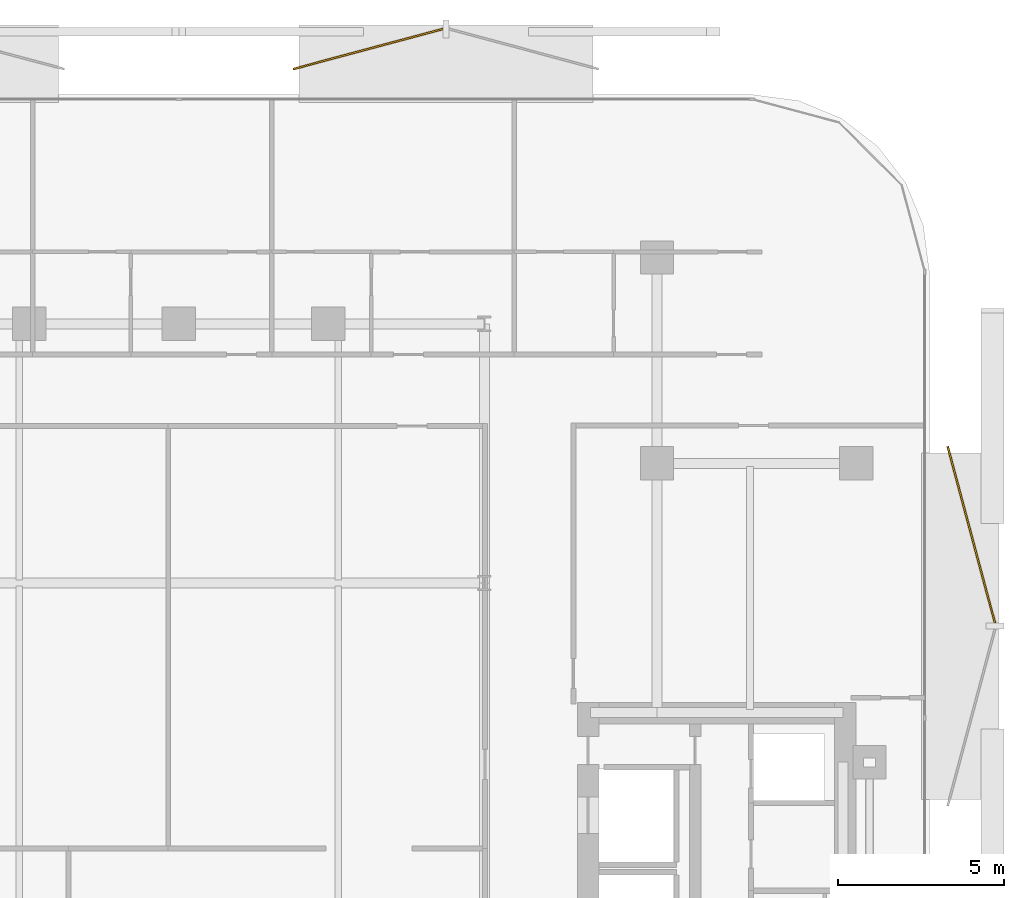
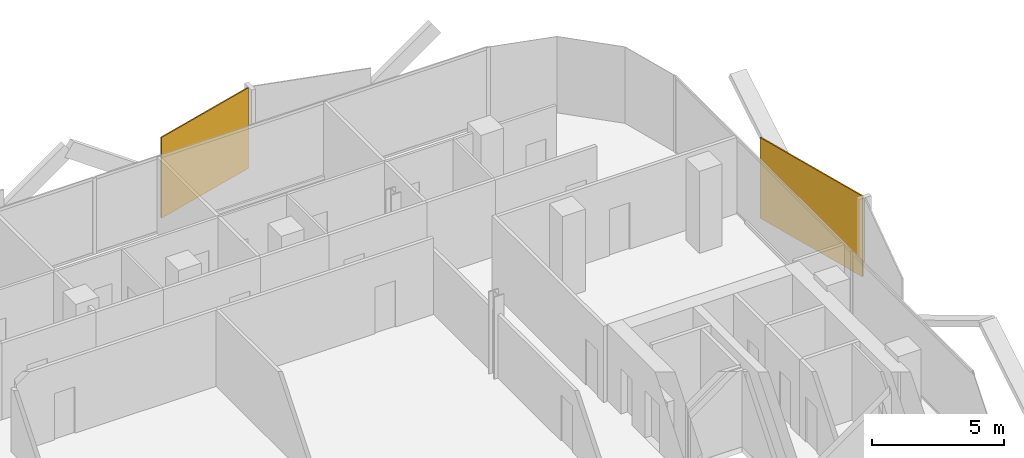
# One storey, part 17 of 17: 2 coverings.
"""IFC4 building model written with IfcOpenShell, lengths in metres."""

import ifcopenshell
import ifcopenshell.guid

model = None  # the IFC model being written
_history = None  # IfcOwnerHistory: only IFC2X3 demands one
_inside = {}  # id of a spatial element -> (the spatial element, [elements in it])
_under = {}  # id of a project, library or spatial element -> (it, [spatial elements below it])
_declared = {}  # id of a project -> (the project, [libraries it declares])
_typed = {}  # id of a type object -> (the type object, [elements of that type])
_made_of = {}  # id of a material, layer set ... -> (it, [elements and type objects made of it])


def new_model(schema):
    """Start an empty IFC model of exactly this schema.

    Asked for "IFC4X3", IfcOpenShell would pick the latest addendum, in which some entities
    have other attributes; the version numbers below select the first issue.
    IFC2X3 requires an IfcOwnerHistory on every rooted entity: one is made here for all.
    """
    global model, _history
    if schema == "IFC4X3":
        model = ifcopenshell.file(schema_version=(4, 3, 0, 0))
    else:
        model = ifcopenshell.file(schema=schema)
    _inside.clear()
    _under.clear()
    _declared.clear()
    _typed.clear()
    _made_of.clear()
    _history = None
    if model.schema == "IFC2X3":
        org = make("IfcOrganization", Name="unknown")
        user = make(
            "IfcPersonAndOrganization",
            ThePerson=make("IfcPerson", FamilyName="unknown"),
            TheOrganization=org,
        )
        app = make(
            "IfcApplication",
            ApplicationDeveloper=org,
            Version="unknown",
            ApplicationFullName="unknown",
            ApplicationIdentifier="unknown",
        )
        _history = make(
            "IfcOwnerHistory",
            OwningUser=user,
            OwningApplication=app,
            ChangeAction="ADDED",
            CreationDate=0,
        )
    return model


def make(cls, **values):
    """One entity of the class cls with the attributes given. An attribute that is None is left unset."""
    return model.create_entity(
        cls, **{name: value for name, value in values.items() if value is not None}
    )


def rooted(cls, **values):
    """An entity with a GlobalId (a new one), such as an element, a storey or a relation."""
    return make(cls, GlobalId=ifcopenshell.guid.new(), OwnerHistory=_history, **values)


def si_unit(unit_type, name, prefix=None):
    """IfcSIUnit, for example si_unit("LENGTHUNIT", "METRE", prefix="MILLI")."""
    return make("IfcSIUnit", UnitType=unit_type, Prefix=prefix, Name=name)


def assignment(units):
    """IfcUnitAssignment: the units of a project."""
    return None if units is None else make("IfcUnitAssignment", Units=units)


def point(xyz):
    """IfcCartesianPoint."""
    return None if xyz is None else make("IfcCartesianPoint", Coordinates=xyz)


def direction(xyz):
    """IfcDirection."""
    return None if xyz is None else make("IfcDirection", DirectionRatios=xyz)


def frame(location, z_axis=None, x_axis=None):
    """IfcAxis2Placement3D, a coordinate frame: its origin and axes. An axis left out is left unset."""
    return make(
        "IfcAxis2Placement3D",
        Location=point(location),
        Axis=direction(z_axis),
        RefDirection=direction(x_axis),
    )


def frame_2d(location, x_axis=None):
    """IfcAxis2Placement2D, a coordinate frame in the plane: its origin and x axis."""
    return make(
        "IfcAxis2Placement2D", Location=point(location), RefDirection=direction(x_axis)
    )


def origin():
    """The frame at (0, 0, 0) with its axes left unset."""
    return frame((0.0, 0.0, 0.0))


def origin_2d():
    """The frame at (0, 0) in the plane with its x axis left unset."""
    return frame_2d((0.0, 0.0))


def place(relative_to, where):
    """IfcLocalPlacement: puts the frame where relative to a parent placement (None: the world)."""
    return make(
        "IfcLocalPlacement", PlacementRelTo=relative_to, RelativePlacement=where
    )


def context(
    kind, dimensions, precision=None, world=None, true_north=None, identifier=None
):
    """IfcGeometricRepresentationContext, for example the 3D "Model" context."""
    return make(
        "IfcGeometricRepresentationContext",
        ContextIdentifier=identifier,
        ContextType=kind,
        CoordinateSpaceDimension=dimensions,
        Precision=precision,
        WorldCoordinateSystem=world,
        TrueNorth=true_north,
    )


def subcontext(parent, identifier, kind, view, scale=None):
    """IfcGeometricRepresentationSubContext, for example "Body" below "Model"."""
    return make(
        "IfcGeometricRepresentationSubContext",
        ContextIdentifier=identifier,
        ContextType=kind,
        ParentContext=parent,
        TargetScale=scale,
        TargetView=view,
    )


def project(units=None, contexts=None):
    """IfcProject with its units and contexts."""
    return rooted(
        "IfcProject",
        Name="project",
        RepresentationContexts=contexts,
        UnitsInContext=assignment(units),
    )


def spatial(cls, under=None, at=None, **own):
    """A site, building, storey or space (cls), placed at a placement, below another one or the project."""
    s = rooted(cls, ObjectPlacement=at, **own)
    if under is not None:
        _under.setdefault(under.id(), (under, []))[1].append(s)
    return s


def profile(cls, at=None, kind="AREA", **sizes):
    """A parametric profile (cls). Its sizes go by their IFC names, for example OverallWidth=200.0."""
    return make(cls, ProfileType=kind, Position=at, **sizes)


def rectangle(**sizes):
    """IfcRectangleProfileDef."""
    return profile("IfcRectangleProfileDef", **sizes)


def extrude(swept, where, along, depth):
    """IfcExtrudedAreaSolid: the profile swept, set in the frame where, extruded along a direction by depth."""
    return make(
        "IfcExtrudedAreaSolid",
        SweptArea=swept,
        Position=where,
        ExtrudedDirection=direction(along),
        Depth=depth,
    )


def shape(context_of_items, identifier, shape_type, items):
    """IfcShapeRepresentation: the items that make up one representation, for example the "Body"."""
    return make(
        "IfcShapeRepresentation",
        ContextOfItems=context_of_items,
        RepresentationIdentifier=identifier,
        RepresentationType=shape_type,
        Items=items,
    )


def material(Name=None, Category=None):
    """IfcMaterial."""
    return make("IfcMaterial", Name=Name, Category=Category)


def layer(
    of_material, thickness, ventilated=None, Name=None, Category=None, Priority=None
):
    """IfcMaterialLayer: one layer of a wall or slab, of a material (None: an air gap)."""
    return make(
        "IfcMaterialLayer",
        Material=of_material,
        LayerThickness=thickness,
        IsVentilated=ventilated,
        Name=Name,
        Category=Category,
        Priority=Priority,
    )


def layer_set(layers, Name=None):
    """IfcMaterialLayerSet."""
    return make("IfcMaterialLayerSet", MaterialLayers=layers, LayerSetName=Name)


def made_of(thing, what):
    """Note that an element or type object is made of a material, layer set ...; save() writes the relation."""
    if what is not None:
        _made_of.setdefault(what.id(), (what, []))[1].append(thing)
    return thing


def type_object(cls, material=None, **own):
    """A type object (cls), such as IfcWallType, which elements share."""
    return made_of(rooted(cls, **own), material)


def element(
    cls,
    number,
    at=None,
    inside=None,
    cuts=None,
    type_object=None,
    material=None,
    context=None,
    identifier="Body",
    shape_type=None,
    held_by="IfcProductDefinitionShape",
    body=None,
    shapes=None,
    **own,
):
    """One element of the class cls, such as IfcWall. Its Tag is "e" and its number.

    at: its placement. inside: the storey or other place that contains it. cuts: it is an
    opening in that element (IfcRelVoidsElement). A single representation is given by context,
    identifier, shape_type and body (its items); several are given by shapes. held_by: the class
    of the entity that holds the representations. save() writes the other relations.
    """
    e = rooted(cls, Tag="e%d" % number, ObjectPlacement=at, **own)
    if body is not None:
        shapes = [shape(context, identifier, shape_type, body)]
    if shapes is not None:
        e.Representation = make(held_by, Representations=shapes)
    if inside is not None:
        _inside.setdefault(inside.id(), (inside, []))[1].append(e)
    if cuts is not None:
        rooted(
            "IfcRelVoidsElement", RelatingBuildingElement=cuts, RelatedOpeningElement=e
        )
    if type_object is not None:
        _typed.setdefault(type_object.id(), (type_object, []))[1].append(e)
    return made_of(e, material)


def aggregate(whole, parts):
    """IfcRelAggregates: a whole, such as a stair, and the parts it consists of."""
    return rooted("IfcRelAggregates", RelatingObject=whole, RelatedObjects=parts)


def save(model, path):
    """Write the relations noted so far, then the file.

    IfcRelAggregates (storeys below a building ...), IfcRelContainedInSpatialStructure (elements
    in a storey), IfcRelDefinesByType, IfcRelAssociatesMaterial and IfcRelDeclares: one each for
    every whole, place, type object, material and project.
    """
    for whole, parts in _under.values():
        aggregate(whole, parts)
    for where, things in _inside.values():
        rooted(
            "IfcRelContainedInSpatialStructure",
            RelatedElements=things,
            RelatingStructure=where,
        )
    for kind, things in _typed.values():
        rooted("IfcRelDefinesByType", RelatedObjects=things, RelatingType=kind)
    for what, things in _made_of.values():
        rooted("IfcRelAssociatesMaterial", RelatedObjects=things, RelatingMaterial=what)
    for by, libraries in _declared.values():
        rooted("IfcRelDeclares", RelatingContext=by, RelatedDefinitions=libraries)
    model.write(path)


model = new_model("IFC4")

# Units and contexts
model_context = context("Model", 3, precision=1e-05, world=origin(), true_north=direction((0.0, 1.0)))
body_context = subcontext(model_context, "Body", "Model", "MODEL_VIEW")
ifc_project = project(units=[si_unit("LENGTHUNIT", "METRE"), si_unit("AREAUNIT", "SQUARE_METRE"), si_unit("VOLUMEUNIT", "CUBIC_METRE"), si_unit("PLANEANGLEUNIT", "RADIAN"), si_unit("MASSUNIT", "GRAM", prefix="KILO")], contexts=[model_context])

# Site, building, storey
site_placement = place(None, origin())
site = spatial("IfcSite", under=ifc_project, at=site_placement, CompositionType="ELEMENT")
building_placement = place(site_placement, origin())
building = spatial("IfcBuilding", under=site, at=building_placement, Name="Khairoan Windgate Tower", CompositionType="ELEMENT")
storey_placement = place(building_placement, frame((0.0, 0.0, 191.60009765625)))
storey = spatial("IfcBuildingStorey", under=building, at=storey_placement, Name="L44", CompositionType="ELEMENT", Elevation=191.60009765625)

# Coverings
ifc_material = material(Name="Anodised Bronze Aluminium 6063-T6", Category="aluminium")
ifc_layer = layer(ifc_material, 0.054931640625, Name="Anodised Bronze Aluminium 6063-T6")
ifc_layer_set = layer_set([ifc_layer], Name="Anodised Bronze Aluminium 6063-T6")
covering_type = type_object("IfcCoveringType", Name="Perforated Bronze-Ceramic Folded Solar Screen Cladding BSC-1", PredefinedType="CLADDING", material=ifc_layer_set)
covering_1_placement = place(storey_placement, frame((5.701904296875, 26.876220703125, -0.10009765625), z_axis=(0.0, 0.0, 1.0), x_axis=(0.965925826289, 0.258819045103, 0.0)))
element("IfcCovering", 1, at=covering_1_placement, inside=storey, type_object=covering_type, Name="L44 Folded Bronze Solar Screen Facet 294L", PredefinedType="CLADDING", context=body_context, shape_type="SweptSolid", body=[
    extrude(rectangle(XDim=4.666015625, YDim=0.054931640625, at=origin_2d()), origin(), (0.0, 0.0, 1.0), 3.739990234375),
])
covering_2_placement = place(storey_placement, frame((23.8671875, 12.2451171875, -0.10009765625), z_axis=(0.0, 0.0, 1.0), x_axis=(0.258819045103, -0.965925826289, 0.0)))
element("IfcCovering", 2, at=covering_2_placement, inside=storey, type_object=covering_type, Name="L44 Folded Bronze Solar Screen Facet 295L", PredefinedType="CLADDING", context=body_context, shape_type="SweptSolid", body=[
    extrude(rectangle(XDim=5.507080078125, YDim=0.054931640625, at=origin_2d()), origin(), (0.0, 0.0, 1.0), 3.739990234375),
])

save(model, "model.ifc")
